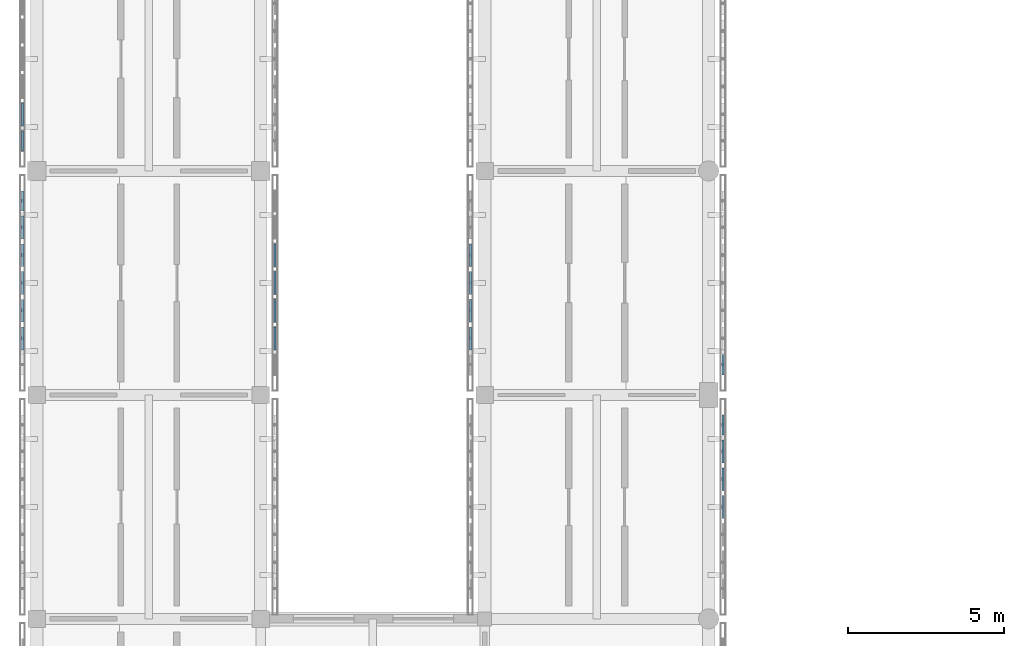
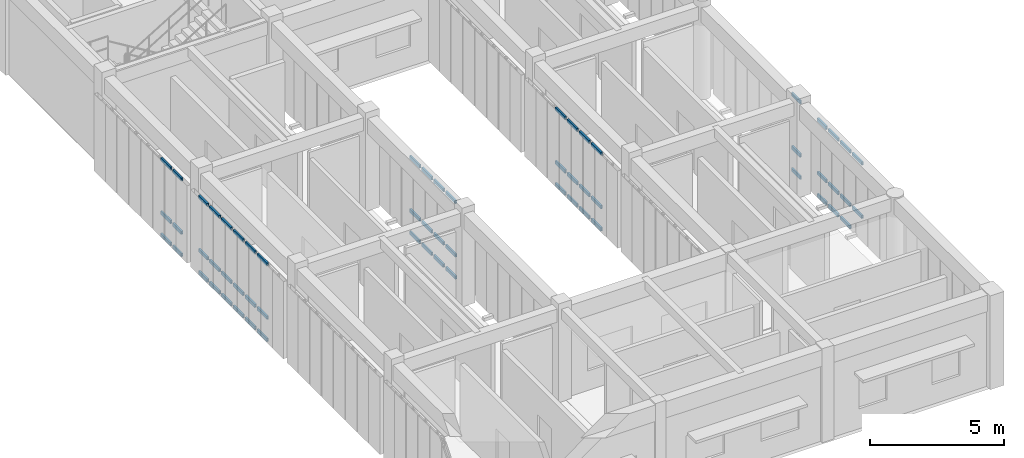
# One storey, part 71 of 171: 62 members, 6 elements without a shape of their own.
"""IFC4 building model written with IfcOpenShell, lengths in metres."""

from ifc_helpers import new_model, si_unit, direction, frame, origin, origin_2d, place, context, subcontext, project, spatial, hollow_rectangle, extrude, material, material_profile, profile_set, type_object, element, aggregate, save


model = new_model("IFC4")

# Units and contexts
model_context = context("Model", 3, precision=1e-05, world=origin(), true_north=direction((0.0, 1.0)))
body_context = subcontext(model_context, "Body", "Model", "MODEL_VIEW")
ifc_project = project(units=[si_unit("LENGTHUNIT", "METRE"), si_unit("AREAUNIT", "SQUARE_METRE"), si_unit("VOLUMEUNIT", "CUBIC_METRE"), si_unit("PLANEANGLEUNIT", "RADIAN"), si_unit("MASSUNIT", "GRAM", prefix="KILO")], contexts=[model_context])

# Site, building, storey
site_placement = place(None, origin())
site = spatial("IfcSite", under=ifc_project, at=site_placement, CompositionType="ELEMENT")
building_placement = place(site_placement, origin())
building = spatial("IfcBuilding", under=site, at=building_placement, Name="Aldebral Square Health Centre", CompositionType="ELEMENT")
storey_placement = place(building_placement, frame((0.0, 0.0, 4.5)))
storey = spatial("IfcBuildingStorey", under=building, at=storey_placement, Name="L01", CompositionType="ELEMENT", Elevation=4.5)

# Curtain wall, members
ifc_material_1 = material(Name="Aluminium and low-E solar glass", Category="aluminium")
curtain_wall_type = type_object("IfcCurtainWallType", Name="CW-FIN-SYS", PredefinedType="USERDEFINED", material=ifc_material_1)
curtain_wall_1_placement = place(storey_placement, origin())
curtain_wall_1 = element("IfcCurtainWall", 1, at=curtain_wall_1_placement, inside=storey, type_object=curtain_wall_type, Name="L01 V6 finned curtain wall L01-V6-00-02-W", ObjectType="SOLAR_CURTAIN_WALL", PredefinedType="USERDEFINED")
ifc_material_2 = material(Name="Anodised aluminium transom", Category="aluminium")
ifc_material_profile = material_profile(ifc_material_2, hollow_rectangle(XDim=0.074951171875, YDim=0.14990234375, WallThickness=0.00390625, at=origin_2d()), Name="CWT 75x150x4")
ifc_profile_set = profile_set([ifc_material_profile], Name="Anodised aluminium transom")
member_type = type_object("IfcMemberType", Name="CWT-STD", PredefinedType="USERDEFINED", material=ifc_profile_set)
member_1_placement = place(storey_placement, frame((-0.4599609375, 20.9599609375, 0.03759765625), z_axis=(0.0, -1.0, 0.0), x_axis=(1.0, 0.0, 0.0)))
member_1 = element("IfcMember", 2, at=member_1_placement, type_object=member_type, Name="CW1 transom 1.1", ObjectType="TRANSOM", PredefinedType="USERDEFINED", context=body_context, shape_type="SweptSolid", body=[
    extrude(hollow_rectangle(XDim=0.074951171875, YDim=0.14990234375, WallThickness=0.00390625, at=origin_2d()), origin(), (0.0, 0.0, 1.0), 0.6513671875),
])
member_2_placement = place(storey_placement, frame((-0.4599609375, 20.9599609375, 1.050048828125), z_axis=(0.0, -1.0, 0.0), x_axis=(1.0, 0.0, 0.0)))
member_2 = element("IfcMember", 3, at=member_2_placement, type_object=member_type, Name="CW1 transom 1.2", ObjectType="TRANSOM", PredefinedType="USERDEFINED", context=body_context, shape_type="SweptSolid", body=[
    extrude(hollow_rectangle(XDim=0.074951171875, YDim=0.14990234375, WallThickness=0.00390625, at=origin_2d()), origin(), (0.0, 0.0, 1.0), 0.6513671875),
])
member_3_placement = place(storey_placement, frame((-0.4599609375, 20.9599609375, 3.482421875), z_axis=(0.0, -1.0, 0.0), x_axis=(1.0, 0.0, 0.0)))
member_3 = element("IfcMember", 4, at=member_3_placement, type_object=member_type, Name="CW1 transom 1.3", ObjectType="TRANSOM", PredefinedType="USERDEFINED", context=body_context, shape_type="SweptSolid", body=[
    extrude(hollow_rectangle(XDim=0.074951171875, YDim=0.14990234375, WallThickness=0.00390625, at=origin_2d()), origin(), (0.0, 0.0, 1.0), 0.6513671875),
])
member_4_placement = place(storey_placement, frame((-0.4599609375, 20.148681640625, 0.03759765625), z_axis=(0.0, -1.0, 0.0), x_axis=(1.0, 0.0, 0.0)))
member_4 = element("IfcMember", 5, at=member_4_placement, type_object=member_type, Name="CW1 transom 2.1", ObjectType="TRANSOM", PredefinedType="USERDEFINED", context=body_context, shape_type="SweptSolid", body=[
    extrude(hollow_rectangle(XDim=0.074951171875, YDim=0.14990234375, WallThickness=0.00390625, at=origin_2d()), origin(), (0.0, 0.0, 1.0), 0.7314453125),
])
member_5_placement = place(storey_placement, frame((-0.4599609375, 20.148681640625, 1.050048828125), z_axis=(0.0, -1.0, 0.0), x_axis=(1.0, 0.0, 0.0)))
member_5 = element("IfcMember", 6, at=member_5_placement, type_object=member_type, Name="CW1 transom 2.2", ObjectType="TRANSOM", PredefinedType="USERDEFINED", context=body_context, shape_type="SweptSolid", body=[
    extrude(hollow_rectangle(XDim=0.074951171875, YDim=0.14990234375, WallThickness=0.00390625, at=origin_2d()), origin(), (0.0, 0.0, 1.0), 0.7314453125),
])
member_6_placement = place(storey_placement, frame((-0.4599609375, 20.148681640625, 3.482421875), z_axis=(0.0, -1.0, 0.0), x_axis=(1.0, 0.0, 0.0)))
member_6 = element("IfcMember", 7, at=member_6_placement, type_object=member_type, Name="CW1 transom 2.3", ObjectType="TRANSOM", PredefinedType="USERDEFINED", context=body_context, shape_type="SweptSolid", body=[
    extrude(hollow_rectangle(XDim=0.074951171875, YDim=0.14990234375, WallThickness=0.00390625, at=origin_2d()), origin(), (0.0, 0.0, 1.0), 0.7314453125),
])
member_7_placement = place(storey_placement, frame((-0.4599609375, 19.257080078125, 0.03759765625), z_axis=(0.0, -1.0, 0.0), x_axis=(1.0, 0.0, 0.0)))
member_7 = element("IfcMember", 8, at=member_7_placement, type_object=member_type, Name="CW1 transom 3.1", ObjectType="TRANSOM", PredefinedType="USERDEFINED", context=body_context, shape_type="SweptSolid", body=[
    extrude(hollow_rectangle(XDim=0.074951171875, YDim=0.14990234375, WallThickness=0.00390625, at=origin_2d()), origin(), (0.0, 0.0, 1.0), 0.7314453125),
])
member_8_placement = place(storey_placement, frame((-0.4599609375, 19.257080078125, 1.050048828125), z_axis=(0.0, -1.0, 0.0), x_axis=(1.0, 0.0, 0.0)))
member_8 = element("IfcMember", 9, at=member_8_placement, type_object=member_type, Name="CW1 transom 3.2", ObjectType="TRANSOM", PredefinedType="USERDEFINED", context=body_context, shape_type="SweptSolid", body=[
    extrude(hollow_rectangle(XDim=0.074951171875, YDim=0.14990234375, WallThickness=0.00390625, at=origin_2d()), origin(), (0.0, 0.0, 1.0), 0.7314453125),
])
member_9_placement = place(storey_placement, frame((-0.4599609375, 19.257080078125, 3.482421875), z_axis=(0.0, -1.0, 0.0), x_axis=(1.0, 0.0, 0.0)))
member_9 = element("IfcMember", 10, at=member_9_placement, type_object=member_type, Name="CW1 transom 3.3", ObjectType="TRANSOM", PredefinedType="USERDEFINED", context=body_context, shape_type="SweptSolid", body=[
    extrude(hollow_rectangle(XDim=0.074951171875, YDim=0.14990234375, WallThickness=0.00390625, at=origin_2d()), origin(), (0.0, 0.0, 1.0), 0.7314453125),
])
member_10_placement = place(storey_placement, frame((-0.4599609375, 18.36572265625, 0.03759765625), z_axis=(0.0, -1.0, 0.0), x_axis=(1.0, 0.0, 0.0)))
member_10 = element("IfcMember", 11, at=member_10_placement, type_object=member_type, Name="CW1 transom 4.1", ObjectType="TRANSOM", PredefinedType="USERDEFINED", context=body_context, shape_type="SweptSolid", body=[
    extrude(hollow_rectangle(XDim=0.074951171875, YDim=0.14990234375, WallThickness=0.00390625, at=origin_2d()), origin(), (0.0, 0.0, 1.0), 0.7314453125),
])
member_11_placement = place(storey_placement, frame((-0.4599609375, 18.36572265625, 1.050048828125), z_axis=(0.0, -1.0, 0.0), x_axis=(1.0, 0.0, 0.0)))
member_11 = element("IfcMember", 12, at=member_11_placement, type_object=member_type, Name="CW1 transom 4.2", ObjectType="TRANSOM", PredefinedType="USERDEFINED", context=body_context, shape_type="SweptSolid", body=[
    extrude(hollow_rectangle(XDim=0.074951171875, YDim=0.14990234375, WallThickness=0.00390625, at=origin_2d()), origin(), (0.0, 0.0, 1.0), 0.7314453125),
])
member_12_placement = place(storey_placement, frame((-0.4599609375, 18.36572265625, 3.482421875), z_axis=(0.0, -1.0, 0.0), x_axis=(1.0, 0.0, 0.0)))
member_12 = element("IfcMember", 13, at=member_12_placement, type_object=member_type, Name="CW1 transom 4.3", ObjectType="TRANSOM", PredefinedType="USERDEFINED", context=body_context, shape_type="SweptSolid", body=[
    extrude(hollow_rectangle(XDim=0.074951171875, YDim=0.14990234375, WallThickness=0.00390625, at=origin_2d()), origin(), (0.0, 0.0, 1.0), 0.7314453125),
])
member_13_placement = place(storey_placement, frame((-0.4599609375, 17.474365234375, 0.03759765625), z_axis=(0.0, -1.0, 0.0), x_axis=(1.0, 0.0, 0.0)))
member_13 = element("IfcMember", 14, at=member_13_placement, type_object=member_type, Name="CW1 transom 5.1", ObjectType="TRANSOM", PredefinedType="USERDEFINED", context=body_context, shape_type="SweptSolid", body=[
    extrude(hollow_rectangle(XDim=0.074951171875, YDim=0.14990234375, WallThickness=0.00390625, at=origin_2d()), origin(), (0.0, 0.0, 1.0), 0.7314453125),
])
member_14_placement = place(storey_placement, frame((-0.4599609375, 17.474365234375, 1.050048828125), z_axis=(0.0, -1.0, 0.0), x_axis=(1.0, 0.0, 0.0)))
member_14 = element("IfcMember", 15, at=member_14_placement, type_object=member_type, Name="CW1 transom 5.2", ObjectType="TRANSOM", PredefinedType="USERDEFINED", context=body_context, shape_type="SweptSolid", body=[
    extrude(hollow_rectangle(XDim=0.074951171875, YDim=0.14990234375, WallThickness=0.00390625, at=origin_2d()), origin(), (0.0, 0.0, 1.0), 0.7314453125),
])
member_15_placement = place(storey_placement, frame((-0.4599609375, 17.474365234375, 3.482421875), z_axis=(0.0, -1.0, 0.0), x_axis=(1.0, 0.0, 0.0)))
member_15 = element("IfcMember", 16, at=member_15_placement, type_object=member_type, Name="CW1 transom 5.3", ObjectType="TRANSOM", PredefinedType="USERDEFINED", context=body_context, shape_type="SweptSolid", body=[
    extrude(hollow_rectangle(XDim=0.074951171875, YDim=0.14990234375, WallThickness=0.00390625, at=origin_2d()), origin(), (0.0, 0.0, 1.0), 0.7314453125),
])
member_16_placement = place(storey_placement, frame((-0.4599609375, 16.582763671875, 0.03759765625), z_axis=(0.0, -1.0, 0.0), x_axis=(1.0, 0.0, 0.0)))
member_16 = element("IfcMember", 17, at=member_16_placement, type_object=member_type, Name="CW1 transom 6.1", ObjectType="TRANSOM", PredefinedType="USERDEFINED", context=body_context, shape_type="SweptSolid", body=[
    extrude(hollow_rectangle(XDim=0.074951171875, YDim=0.14990234375, WallThickness=0.00390625, at=origin_2d()), origin(), (0.0, 0.0, 1.0), 0.7314453125),
])
member_17_placement = place(storey_placement, frame((-0.4599609375, 16.582763671875, 1.050048828125), z_axis=(0.0, -1.0, 0.0), x_axis=(1.0, 0.0, 0.0)))
member_17 = element("IfcMember", 18, at=member_17_placement, type_object=member_type, Name="CW1 transom 6.2", ObjectType="TRANSOM", PredefinedType="USERDEFINED", context=body_context, shape_type="SweptSolid", body=[
    extrude(hollow_rectangle(XDim=0.074951171875, YDim=0.14990234375, WallThickness=0.00390625, at=origin_2d()), origin(), (0.0, 0.0, 1.0), 0.7314453125),
])
member_18_placement = place(storey_placement, frame((-0.4599609375, 16.582763671875, 3.482421875), z_axis=(0.0, -1.0, 0.0), x_axis=(1.0, 0.0, 0.0)))
member_18 = element("IfcMember", 19, at=member_18_placement, type_object=member_type, Name="CW1 transom 6.3", ObjectType="TRANSOM", PredefinedType="USERDEFINED", context=body_context, shape_type="SweptSolid", body=[
    extrude(hollow_rectangle(XDim=0.074951171875, YDim=0.14990234375, WallThickness=0.00390625, at=origin_2d()), origin(), (0.0, 0.0, 1.0), 0.7314453125),
])
aggregate(curtain_wall_1, [member_1, member_2, member_3, member_4, member_5, member_6, member_7, member_8, member_9, member_10, member_11, member_12, member_13, member_14, member_15, member_16, member_17, member_18])

curtain_wall_2_placement = place(storey_placement, origin())
curtain_wall_2 = element("IfcCurtainWall", 20, at=curtain_wall_2_placement, inside=storey, type_object=curtain_wall_type, Name="L01 V6 finned curtain wall L01-V6-00-02-E", ObjectType="SOLAR_CURTAIN_WALL", PredefinedType="USERDEFINED")
member_19_placement = place(storey_placement, frame((7.659912109375, 15.851318359375, 0.03759765625), z_axis=(0.0, 1.0, 0.0), x_axis=(-1.0, 0.0, 0.0)))
member_19 = element("IfcMember", 21, at=member_19_placement, type_object=member_type, Name="CW1 transom 2.1", ObjectType="TRANSOM", PredefinedType="USERDEFINED", context=body_context, shape_type="SweptSolid", body=[
    extrude(hollow_rectangle(XDim=0.074951171875, YDim=0.14990234375, WallThickness=0.00390625, at=origin_2d()), origin(), (0.0, 0.0, 1.0), 0.7314453125),
])
member_20_placement = place(storey_placement, frame((7.659912109375, 15.851318359375, 1.050048828125), z_axis=(0.0, 1.0, 0.0), x_axis=(-1.0, 0.0, 0.0)))
member_20 = element("IfcMember", 22, at=member_20_placement, type_object=member_type, Name="CW1 transom 2.2", ObjectType="TRANSOM", PredefinedType="USERDEFINED", context=body_context, shape_type="SweptSolid", body=[
    extrude(hollow_rectangle(XDim=0.074951171875, YDim=0.14990234375, WallThickness=0.00390625, at=origin_2d()), origin(), (0.0, 0.0, 1.0), 0.7314453125),
])
member_21_placement = place(storey_placement, frame((7.659912109375, 15.851318359375, 3.482421875), z_axis=(0.0, 1.0, 0.0), x_axis=(-1.0, 0.0, 0.0)))
member_21 = element("IfcMember", 23, at=member_21_placement, type_object=member_type, Name="CW1 transom 2.3", ObjectType="TRANSOM", PredefinedType="USERDEFINED", context=body_context, shape_type="SweptSolid", body=[
    extrude(hollow_rectangle(XDim=0.074951171875, YDim=0.14990234375, WallThickness=0.00390625, at=origin_2d()), origin(), (0.0, 0.0, 1.0), 0.7314453125),
])
member_22_placement = place(storey_placement, frame((7.659912109375, 16.742919921875, 0.03759765625), z_axis=(0.0, 1.0, 0.0), x_axis=(-1.0, 0.0, 0.0)))
member_22 = element("IfcMember", 24, at=member_22_placement, type_object=member_type, Name="CW1 transom 3.1", ObjectType="TRANSOM", PredefinedType="USERDEFINED", context=body_context, shape_type="SweptSolid", body=[
    extrude(hollow_rectangle(XDim=0.074951171875, YDim=0.14990234375, WallThickness=0.00390625, at=origin_2d()), origin(), (0.0, 0.0, 1.0), 0.7314453125),
])
member_23_placement = place(storey_placement, frame((7.659912109375, 16.742919921875, 1.050048828125), z_axis=(0.0, 1.0, 0.0), x_axis=(-1.0, 0.0, 0.0)))
member_23 = element("IfcMember", 25, at=member_23_placement, type_object=member_type, Name="CW1 transom 3.2", ObjectType="TRANSOM", PredefinedType="USERDEFINED", context=body_context, shape_type="SweptSolid", body=[
    extrude(hollow_rectangle(XDim=0.074951171875, YDim=0.14990234375, WallThickness=0.00390625, at=origin_2d()), origin(), (0.0, 0.0, 1.0), 0.7314453125),
])
member_24_placement = place(storey_placement, frame((7.659912109375, 16.742919921875, 3.482421875), z_axis=(0.0, 1.0, 0.0), x_axis=(-1.0, 0.0, 0.0)))
member_24 = element("IfcMember", 26, at=member_24_placement, type_object=member_type, Name="CW1 transom 3.3", ObjectType="TRANSOM", PredefinedType="USERDEFINED", context=body_context, shape_type="SweptSolid", body=[
    extrude(hollow_rectangle(XDim=0.074951171875, YDim=0.14990234375, WallThickness=0.00390625, at=origin_2d()), origin(), (0.0, 0.0, 1.0), 0.7314453125),
])
member_25_placement = place(storey_placement, frame((7.659912109375, 17.63427734375, 0.03759765625), z_axis=(0.0, 1.0, 0.0), x_axis=(-1.0, 0.0, 0.0)))
member_25 = element("IfcMember", 27, at=member_25_placement, type_object=member_type, Name="CW1 transom 4.1", ObjectType="TRANSOM", PredefinedType="USERDEFINED", context=body_context, shape_type="SweptSolid", body=[
    extrude(hollow_rectangle(XDim=0.074951171875, YDim=0.14990234375, WallThickness=0.00390625, at=origin_2d()), origin(), (0.0, 0.0, 1.0), 0.7314453125),
])
member_26_placement = place(storey_placement, frame((7.659912109375, 17.63427734375, 1.050048828125), z_axis=(0.0, 1.0, 0.0), x_axis=(-1.0, 0.0, 0.0)))
member_26 = element("IfcMember", 28, at=member_26_placement, type_object=member_type, Name="CW1 transom 4.2", ObjectType="TRANSOM", PredefinedType="USERDEFINED", context=body_context, shape_type="SweptSolid", body=[
    extrude(hollow_rectangle(XDim=0.074951171875, YDim=0.14990234375, WallThickness=0.00390625, at=origin_2d()), origin(), (0.0, 0.0, 1.0), 0.7314453125),
])
member_27_placement = place(storey_placement, frame((7.659912109375, 17.63427734375, 3.482421875), z_axis=(0.0, 1.0, 0.0), x_axis=(-1.0, 0.0, 0.0)))
member_27 = element("IfcMember", 29, at=member_27_placement, type_object=member_type, Name="CW1 transom 4.3", ObjectType="TRANSOM", PredefinedType="USERDEFINED", context=body_context, shape_type="SweptSolid", body=[
    extrude(hollow_rectangle(XDim=0.074951171875, YDim=0.14990234375, WallThickness=0.00390625, at=origin_2d()), origin(), (0.0, 0.0, 1.0), 0.7314453125),
])
member_28_placement = place(storey_placement, frame((7.659912109375, 18.525634765625, 0.03759765625), z_axis=(0.0, 1.0, 0.0), x_axis=(-1.0, 0.0, 0.0)))
member_28 = element("IfcMember", 30, at=member_28_placement, type_object=member_type, Name="CW1 transom 5.1", ObjectType="TRANSOM", PredefinedType="USERDEFINED", context=body_context, shape_type="SweptSolid", body=[
    extrude(hollow_rectangle(XDim=0.074951171875, YDim=0.14990234375, WallThickness=0.00390625, at=origin_2d()), origin(), (0.0, 0.0, 1.0), 0.7314453125),
])
member_29_placement = place(storey_placement, frame((7.659912109375, 18.525634765625, 1.050048828125), z_axis=(0.0, 1.0, 0.0), x_axis=(-1.0, 0.0, 0.0)))
member_29 = element("IfcMember", 31, at=member_29_placement, type_object=member_type, Name="CW1 transom 5.2", ObjectType="TRANSOM", PredefinedType="USERDEFINED", context=body_context, shape_type="SweptSolid", body=[
    extrude(hollow_rectangle(XDim=0.074951171875, YDim=0.14990234375, WallThickness=0.00390625, at=origin_2d()), origin(), (0.0, 0.0, 1.0), 0.7314453125),
])
member_30_placement = place(storey_placement, frame((7.659912109375, 18.525634765625, 3.482421875), z_axis=(0.0, 1.0, 0.0), x_axis=(-1.0, 0.0, 0.0)))
member_30 = element("IfcMember", 32, at=member_30_placement, type_object=member_type, Name="CW1 transom 5.3", ObjectType="TRANSOM", PredefinedType="USERDEFINED", context=body_context, shape_type="SweptSolid", body=[
    extrude(hollow_rectangle(XDim=0.074951171875, YDim=0.14990234375, WallThickness=0.00390625, at=origin_2d()), origin(), (0.0, 0.0, 1.0), 0.7314453125),
])
aggregate(curtain_wall_2, [member_19, member_20, member_21, member_22, member_23, member_24, member_25, member_26, member_27, member_28, member_29, member_30])

curtain_wall_3_placement = place(storey_placement, origin())
curtain_wall_3 = element("IfcCurtainWall", 33, at=curtain_wall_3_placement, inside=storey, type_object=curtain_wall_type, Name="L01 V6 finned curtain wall L01-V6-00-03-W", ObjectType="SOLAR_CURTAIN_WALL", PredefinedType="USERDEFINED")
member_31_placement = place(storey_placement, frame((-0.4599609375, 23.782958984375, 0.03759765625), z_axis=(0.0, -1.0, 0.0), x_axis=(1.0, 0.0, 0.0)))
member_31 = element("IfcMember", 34, at=member_31_placement, type_object=member_type, Name="CW1 transom 6.1", ObjectType="TRANSOM", PredefinedType="USERDEFINED", context=body_context, shape_type="SweptSolid", body=[
    extrude(hollow_rectangle(XDim=0.074951171875, YDim=0.14990234375, WallThickness=0.00390625, at=origin_2d()), origin(), (0.0, 0.0, 1.0), 0.7314453125),
])
member_32_placement = place(storey_placement, frame((-0.4599609375, 23.782958984375, 1.050048828125), z_axis=(0.0, -1.0, 0.0), x_axis=(1.0, 0.0, 0.0)))
member_32 = element("IfcMember", 35, at=member_32_placement, type_object=member_type, Name="CW1 transom 6.2", ObjectType="TRANSOM", PredefinedType="USERDEFINED", context=body_context, shape_type="SweptSolid", body=[
    extrude(hollow_rectangle(XDim=0.074951171875, YDim=0.14990234375, WallThickness=0.00390625, at=origin_2d()), origin(), (0.0, 0.0, 1.0), 0.7314453125),
])
member_33_placement = place(storey_placement, frame((-0.4599609375, 23.782958984375, 3.482421875), z_axis=(0.0, -1.0, 0.0), x_axis=(1.0, 0.0, 0.0)))
member_33 = element("IfcMember", 36, at=member_33_placement, type_object=member_type, Name="CW1 transom 6.3", ObjectType="TRANSOM", PredefinedType="USERDEFINED", context=body_context, shape_type="SweptSolid", body=[
    extrude(hollow_rectangle(XDim=0.074951171875, YDim=0.14990234375, WallThickness=0.00390625, at=origin_2d()), origin(), (0.0, 0.0, 1.0), 0.7314453125),
])
member_34_placement = place(storey_placement, frame((-0.4599609375, 22.891357421875, 0.03759765625), z_axis=(0.0, -1.0, 0.0), x_axis=(1.0, 0.0, 0.0)))
member_34 = element("IfcMember", 37, at=member_34_placement, type_object=member_type, Name="CW1 transom 7.1", ObjectType="TRANSOM", PredefinedType="USERDEFINED", context=body_context, shape_type="SweptSolid", body=[
    extrude(hollow_rectangle(XDim=0.074951171875, YDim=0.14990234375, WallThickness=0.00390625, at=origin_2d()), origin(), (0.0, 0.0, 1.0), 0.6513671875),
])
member_35_placement = place(storey_placement, frame((-0.4599609375, 22.891357421875, 1.050048828125), z_axis=(0.0, -1.0, 0.0), x_axis=(1.0, 0.0, 0.0)))
member_35 = element("IfcMember", 38, at=member_35_placement, type_object=member_type, Name="CW1 transom 7.2", ObjectType="TRANSOM", PredefinedType="USERDEFINED", context=body_context, shape_type="SweptSolid", body=[
    extrude(hollow_rectangle(XDim=0.074951171875, YDim=0.14990234375, WallThickness=0.00390625, at=origin_2d()), origin(), (0.0, 0.0, 1.0), 0.6513671875),
])
member_36_placement = place(storey_placement, frame((-0.4599609375, 22.891357421875, 3.482421875), z_axis=(0.0, -1.0, 0.0), x_axis=(1.0, 0.0, 0.0)))
member_36 = element("IfcMember", 39, at=member_36_placement, type_object=member_type, Name="CW1 transom 7.3", ObjectType="TRANSOM", PredefinedType="USERDEFINED", context=body_context, shape_type="SweptSolid", body=[
    extrude(hollow_rectangle(XDim=0.074951171875, YDim=0.14990234375, WallThickness=0.00390625, at=origin_2d()), origin(), (0.0, 0.0, 1.0), 0.6513671875),
])
aggregate(curtain_wall_3, [member_31, member_32, member_33, member_34, member_35, member_36])

curtain_wall_4_placement = place(storey_placement, origin())
curtain_wall_4 = element("IfcCurtainWall", 40, at=curtain_wall_4_placement, inside=storey, type_object=curtain_wall_type, Name="L01 V6 finned curtain wall L01-V6-02-01-E", ObjectType="SOLAR_CURTAIN_WALL", PredefinedType="USERDEFINED")
member_37_placement = place(storey_placement, frame((22.06005859375, 10.434326171875, 1.050048828125), z_axis=(0.0, 1.0, 0.0), x_axis=(-1.0, 0.0, 0.0)))
member_37 = element("IfcMember", 41, at=member_37_placement, type_object=member_type, Name="CW1 transom 4.2", ObjectType="TRANSOM", PredefinedType="USERDEFINED", context=body_context, shape_type="SweptSolid", body=[
    extrude(hollow_rectangle(XDim=0.074951171875, YDim=0.14990234375, WallThickness=0.00390625, at=origin_2d()), origin(), (0.0, 0.0, 1.0), 0.7314453125),
])
member_38_placement = place(storey_placement, frame((22.06005859375, 10.434326171875, 3.482421875), z_axis=(0.0, 1.0, 0.0), x_axis=(-1.0, 0.0, 0.0)))
member_38 = element("IfcMember", 42, at=member_38_placement, type_object=member_type, Name="CW1 transom 4.3", ObjectType="TRANSOM", PredefinedType="USERDEFINED", context=body_context, shape_type="SweptSolid", body=[
    extrude(hollow_rectangle(XDim=0.074951171875, YDim=0.14990234375, WallThickness=0.00390625, at=origin_2d()), origin(), (0.0, 0.0, 1.0), 0.7314453125),
])
member_39_placement = place(storey_placement, frame((22.06005859375, 11.32568359375, 0.03759765625), z_axis=(0.0, 1.0, 0.0), x_axis=(-1.0, 0.0, 0.0)))
member_39 = element("IfcMember", 43, at=member_39_placement, type_object=member_type, Name="CW1 transom 5.1", ObjectType="TRANSOM", PredefinedType="USERDEFINED", context=body_context, shape_type="SweptSolid", body=[
    extrude(hollow_rectangle(XDim=0.074951171875, YDim=0.14990234375, WallThickness=0.00390625, at=origin_2d()), origin(), (0.0, 0.0, 1.0), 0.7314453125),
])
member_40_placement = place(storey_placement, frame((22.06005859375, 11.32568359375, 1.050048828125), z_axis=(0.0, 1.0, 0.0), x_axis=(-1.0, 0.0, 0.0)))
member_40 = element("IfcMember", 44, at=member_40_placement, type_object=member_type, Name="CW1 transom 5.2", ObjectType="TRANSOM", PredefinedType="USERDEFINED", context=body_context, shape_type="SweptSolid", body=[
    extrude(hollow_rectangle(XDim=0.074951171875, YDim=0.14990234375, WallThickness=0.00390625, at=origin_2d()), origin(), (0.0, 0.0, 1.0), 0.7314453125),
])
member_41_placement = place(storey_placement, frame((22.06005859375, 11.32568359375, 3.482421875), z_axis=(0.0, 1.0, 0.0), x_axis=(-1.0, 0.0, 0.0)))
member_41 = element("IfcMember", 45, at=member_41_placement, type_object=member_type, Name="CW1 transom 5.3", ObjectType="TRANSOM", PredefinedType="USERDEFINED", context=body_context, shape_type="SweptSolid", body=[
    extrude(hollow_rectangle(XDim=0.074951171875, YDim=0.14990234375, WallThickness=0.00390625, at=origin_2d()), origin(), (0.0, 0.0, 1.0), 0.7314453125),
])
member_42_placement = place(storey_placement, frame((22.06005859375, 12.217041015625, 0.03759765625), z_axis=(0.0, 1.0, 0.0), x_axis=(-1.0, 0.0, 0.0)))
member_42 = element("IfcMember", 46, at=member_42_placement, type_object=member_type, Name="CW1 transom 6.1", ObjectType="TRANSOM", PredefinedType="USERDEFINED", context=body_context, shape_type="SweptSolid", body=[
    extrude(hollow_rectangle(XDim=0.074951171875, YDim=0.14990234375, WallThickness=0.00390625, at=origin_2d()), origin(), (0.0, 0.0, 1.0), 0.7314453125),
])
member_43_placement = place(storey_placement, frame((22.06005859375, 12.217041015625, 1.050048828125), z_axis=(0.0, 1.0, 0.0), x_axis=(-1.0, 0.0, 0.0)))
member_43 = element("IfcMember", 47, at=member_43_placement, type_object=member_type, Name="CW1 transom 6.2", ObjectType="TRANSOM", PredefinedType="USERDEFINED", context=body_context, shape_type="SweptSolid", body=[
    extrude(hollow_rectangle(XDim=0.074951171875, YDim=0.14990234375, WallThickness=0.00390625, at=origin_2d()), origin(), (0.0, 0.0, 1.0), 0.7314453125),
])
member_44_placement = place(storey_placement, frame((22.06005859375, 12.217041015625, 3.482421875), z_axis=(0.0, 1.0, 0.0), x_axis=(-1.0, 0.0, 0.0)))
member_44 = element("IfcMember", 48, at=member_44_placement, type_object=member_type, Name="CW1 transom 6.3", ObjectType="TRANSOM", PredefinedType="USERDEFINED", context=body_context, shape_type="SweptSolid", body=[
    extrude(hollow_rectangle(XDim=0.074951171875, YDim=0.14990234375, WallThickness=0.00390625, at=origin_2d()), origin(), (0.0, 0.0, 1.0), 0.7314453125),
])
member_45_placement = place(storey_placement, frame((22.06005859375, 13.108642578125, 0.03759765625), z_axis=(0.0, 1.0, 0.0), x_axis=(-1.0, 0.0, 0.0)))
member_45 = element("IfcMember", 49, at=member_45_placement, type_object=member_type, Name="CW1 transom 7.1", ObjectType="TRANSOM", PredefinedType="USERDEFINED", context=body_context, shape_type="SweptSolid", body=[
    extrude(hollow_rectangle(XDim=0.074951171875, YDim=0.14990234375, WallThickness=0.00390625, at=origin_2d()), origin(), (0.0, 0.0, 1.0), 0.6513671875),
])
member_46_placement = place(storey_placement, frame((22.06005859375, 13.108642578125, 1.050048828125), z_axis=(0.0, 1.0, 0.0), x_axis=(-1.0, 0.0, 0.0)))
member_46 = element("IfcMember", 50, at=member_46_placement, type_object=member_type, Name="CW1 transom 7.2", ObjectType="TRANSOM", PredefinedType="USERDEFINED", context=body_context, shape_type="SweptSolid", body=[
    extrude(hollow_rectangle(XDim=0.074951171875, YDim=0.14990234375, WallThickness=0.00390625, at=origin_2d()), origin(), (0.0, 0.0, 1.0), 0.6513671875),
])
member_47_placement = place(storey_placement, frame((22.06005859375, 13.108642578125, 3.482421875), z_axis=(0.0, 1.0, 0.0), x_axis=(-1.0, 0.0, 0.0)))
member_47 = element("IfcMember", 51, at=member_47_placement, type_object=member_type, Name="CW1 transom 7.3", ObjectType="TRANSOM", PredefinedType="USERDEFINED", context=body_context, shape_type="SweptSolid", body=[
    extrude(hollow_rectangle(XDim=0.074951171875, YDim=0.14990234375, WallThickness=0.00390625, at=origin_2d()), origin(), (0.0, 0.0, 1.0), 0.6513671875),
])
aggregate(curtain_wall_4, [member_37, member_38, member_39, member_40, member_41, member_42, member_43, member_44, member_45, member_46, member_47])

curtain_wall_5_placement = place(storey_placement, origin())
curtain_wall_5 = element("IfcCurtainWall", 52, at=curtain_wall_5_placement, inside=storey, type_object=curtain_wall_type, Name="L01 V6 finned curtain wall L01-V6-02-02-W", ObjectType="SOLAR_CURTAIN_WALL", PredefinedType="USERDEFINED")
member_48_placement = place(storey_placement, frame((13.93994140625, 19.257080078125, 0.03759765625), z_axis=(0.0, -1.0, 0.0), x_axis=(1.0, 0.0, 0.0)))
member_48 = element("IfcMember", 53, at=member_48_placement, type_object=member_type, Name="CW1 transom 3.1", ObjectType="TRANSOM", PredefinedType="USERDEFINED", context=body_context, shape_type="SweptSolid", body=[
    extrude(hollow_rectangle(XDim=0.074951171875, YDim=0.14990234375, WallThickness=0.00390625, at=origin_2d()), origin(), (0.0, 0.0, 1.0), 0.7314453125),
])
member_49_placement = place(storey_placement, frame((13.93994140625, 19.257080078125, 1.050048828125), z_axis=(0.0, -1.0, 0.0), x_axis=(1.0, 0.0, 0.0)))
member_49 = element("IfcMember", 54, at=member_49_placement, type_object=member_type, Name="CW1 transom 3.2", ObjectType="TRANSOM", PredefinedType="USERDEFINED", context=body_context, shape_type="SweptSolid", body=[
    extrude(hollow_rectangle(XDim=0.074951171875, YDim=0.14990234375, WallThickness=0.00390625, at=origin_2d()), origin(), (0.0, 0.0, 1.0), 0.7314453125),
])
member_50_placement = place(storey_placement, frame((13.93994140625, 19.257080078125, 3.482421875), z_axis=(0.0, -1.0, 0.0), x_axis=(1.0, 0.0, 0.0)))
member_50 = element("IfcMember", 55, at=member_50_placement, type_object=member_type, Name="CW1 transom 3.3", ObjectType="TRANSOM", PredefinedType="USERDEFINED", context=body_context, shape_type="SweptSolid", body=[
    extrude(hollow_rectangle(XDim=0.074951171875, YDim=0.14990234375, WallThickness=0.00390625, at=origin_2d()), origin(), (0.0, 0.0, 1.0), 0.7314453125),
])
member_51_placement = place(storey_placement, frame((13.93994140625, 18.36572265625, 0.03759765625), z_axis=(0.0, -1.0, 0.0), x_axis=(1.0, 0.0, 0.0)))
member_51 = element("IfcMember", 56, at=member_51_placement, type_object=member_type, Name="CW1 transom 4.1", ObjectType="TRANSOM", PredefinedType="USERDEFINED", context=body_context, shape_type="SweptSolid", body=[
    extrude(hollow_rectangle(XDim=0.074951171875, YDim=0.14990234375, WallThickness=0.00390625, at=origin_2d()), origin(), (0.0, 0.0, 1.0), 0.7314453125),
])
member_52_placement = place(storey_placement, frame((13.93994140625, 18.36572265625, 1.050048828125), z_axis=(0.0, -1.0, 0.0), x_axis=(1.0, 0.0, 0.0)))
member_52 = element("IfcMember", 57, at=member_52_placement, type_object=member_type, Name="CW1 transom 4.2", ObjectType="TRANSOM", PredefinedType="USERDEFINED", context=body_context, shape_type="SweptSolid", body=[
    extrude(hollow_rectangle(XDim=0.074951171875, YDim=0.14990234375, WallThickness=0.00390625, at=origin_2d()), origin(), (0.0, 0.0, 1.0), 0.7314453125),
])
member_53_placement = place(storey_placement, frame((13.93994140625, 18.36572265625, 3.482421875), z_axis=(0.0, -1.0, 0.0), x_axis=(1.0, 0.0, 0.0)))
member_53 = element("IfcMember", 58, at=member_53_placement, type_object=member_type, Name="CW1 transom 4.3", ObjectType="TRANSOM", PredefinedType="USERDEFINED", context=body_context, shape_type="SweptSolid", body=[
    extrude(hollow_rectangle(XDim=0.074951171875, YDim=0.14990234375, WallThickness=0.00390625, at=origin_2d()), origin(), (0.0, 0.0, 1.0), 0.7314453125),
])
member_54_placement = place(storey_placement, frame((13.93994140625, 17.474365234375, 0.03759765625), z_axis=(0.0, -1.0, 0.0), x_axis=(1.0, 0.0, 0.0)))
member_54 = element("IfcMember", 59, at=member_54_placement, type_object=member_type, Name="CW1 transom 5.1", ObjectType="TRANSOM", PredefinedType="USERDEFINED", context=body_context, shape_type="SweptSolid", body=[
    extrude(hollow_rectangle(XDim=0.074951171875, YDim=0.14990234375, WallThickness=0.00390625, at=origin_2d()), origin(), (0.0, 0.0, 1.0), 0.7314453125),
])
member_55_placement = place(storey_placement, frame((13.93994140625, 17.474365234375, 1.050048828125), z_axis=(0.0, -1.0, 0.0), x_axis=(1.0, 0.0, 0.0)))
member_55 = element("IfcMember", 60, at=member_55_placement, type_object=member_type, Name="CW1 transom 5.2", ObjectType="TRANSOM", PredefinedType="USERDEFINED", context=body_context, shape_type="SweptSolid", body=[
    extrude(hollow_rectangle(XDim=0.074951171875, YDim=0.14990234375, WallThickness=0.00390625, at=origin_2d()), origin(), (0.0, 0.0, 1.0), 0.7314453125),
])
member_56_placement = place(storey_placement, frame((13.93994140625, 17.474365234375, 3.482421875), z_axis=(0.0, -1.0, 0.0), x_axis=(1.0, 0.0, 0.0)))
member_56 = element("IfcMember", 61, at=member_56_placement, type_object=member_type, Name="CW1 transom 5.3", ObjectType="TRANSOM", PredefinedType="USERDEFINED", context=body_context, shape_type="SweptSolid", body=[
    extrude(hollow_rectangle(XDim=0.074951171875, YDim=0.14990234375, WallThickness=0.00390625, at=origin_2d()), origin(), (0.0, 0.0, 1.0), 0.7314453125),
])
member_57_placement = place(storey_placement, frame((13.93994140625, 16.582763671875, 0.03759765625), z_axis=(0.0, -1.0, 0.0), x_axis=(1.0, 0.0, 0.0)))
member_57 = element("IfcMember", 62, at=member_57_placement, type_object=member_type, Name="CW1 transom 6.1", ObjectType="TRANSOM", PredefinedType="USERDEFINED", context=body_context, shape_type="SweptSolid", body=[
    extrude(hollow_rectangle(XDim=0.074951171875, YDim=0.14990234375, WallThickness=0.00390625, at=origin_2d()), origin(), (0.0, 0.0, 1.0), 0.7314453125),
])
member_58_placement = place(storey_placement, frame((13.93994140625, 16.582763671875, 1.050048828125), z_axis=(0.0, -1.0, 0.0), x_axis=(1.0, 0.0, 0.0)))
member_58 = element("IfcMember", 63, at=member_58_placement, type_object=member_type, Name="CW1 transom 6.2", ObjectType="TRANSOM", PredefinedType="USERDEFINED", context=body_context, shape_type="SweptSolid", body=[
    extrude(hollow_rectangle(XDim=0.074951171875, YDim=0.14990234375, WallThickness=0.00390625, at=origin_2d()), origin(), (0.0, 0.0, 1.0), 0.7314453125),
])
member_59_placement = place(storey_placement, frame((13.93994140625, 16.582763671875, 3.482421875), z_axis=(0.0, -1.0, 0.0), x_axis=(1.0, 0.0, 0.0)))
member_59 = element("IfcMember", 64, at=member_59_placement, type_object=member_type, Name="CW1 transom 6.3", ObjectType="TRANSOM", PredefinedType="USERDEFINED", context=body_context, shape_type="SweptSolid", body=[
    extrude(hollow_rectangle(XDim=0.074951171875, YDim=0.14990234375, WallThickness=0.00390625, at=origin_2d()), origin(), (0.0, 0.0, 1.0), 0.7314453125),
])
aggregate(curtain_wall_5, [member_48, member_49, member_50, member_51, member_52, member_53, member_54, member_55, member_56, member_57, member_58, member_59])

curtain_wall_6_placement = place(storey_placement, origin())
curtain_wall_6 = element("IfcCurtainWall", 65, at=curtain_wall_6_placement, inside=storey, type_object=curtain_wall_type, Name="L01 V6 finned curtain wall L01-V6-02-02-E", ObjectType="SOLAR_CURTAIN_WALL", PredefinedType="USERDEFINED")
member_60_placement = place(storey_placement, frame((22.06005859375, 15.0400390625, 0.03759765625), z_axis=(0.0, 1.0, 0.0), x_axis=(-1.0, 0.0, 0.0)))
member_60 = element("IfcMember", 66, at=member_60_placement, type_object=member_type, Name="CW1 transom 1.1", ObjectType="TRANSOM", PredefinedType="USERDEFINED", context=body_context, shape_type="SweptSolid", body=[
    extrude(hollow_rectangle(XDim=0.074951171875, YDim=0.14990234375, WallThickness=0.00390625, at=origin_2d()), origin(), (0.0, 0.0, 1.0), 0.6513671875),
])
member_61_placement = place(storey_placement, frame((22.06005859375, 15.0400390625, 1.050048828125), z_axis=(0.0, 1.0, 0.0), x_axis=(-1.0, 0.0, 0.0)))
member_61 = element("IfcMember", 67, at=member_61_placement, type_object=member_type, Name="CW1 transom 1.2", ObjectType="TRANSOM", PredefinedType="USERDEFINED", context=body_context, shape_type="SweptSolid", body=[
    extrude(hollow_rectangle(XDim=0.074951171875, YDim=0.14990234375, WallThickness=0.00390625, at=origin_2d()), origin(), (0.0, 0.0, 1.0), 0.6513671875),
])
member_62_placement = place(storey_placement, frame((22.06005859375, 15.0400390625, 3.482421875), z_axis=(0.0, 1.0, 0.0), x_axis=(-1.0, 0.0, 0.0)))
member_62 = element("IfcMember", 68, at=member_62_placement, type_object=member_type, Name="CW1 transom 1.3", ObjectType="TRANSOM", PredefinedType="USERDEFINED", context=body_context, shape_type="SweptSolid", body=[
    extrude(hollow_rectangle(XDim=0.074951171875, YDim=0.14990234375, WallThickness=0.00390625, at=origin_2d()), origin(), (0.0, 0.0, 1.0), 0.6513671875),
])
aggregate(curtain_wall_6, [member_60, member_61, member_62])

save(model, "model.ifc")
